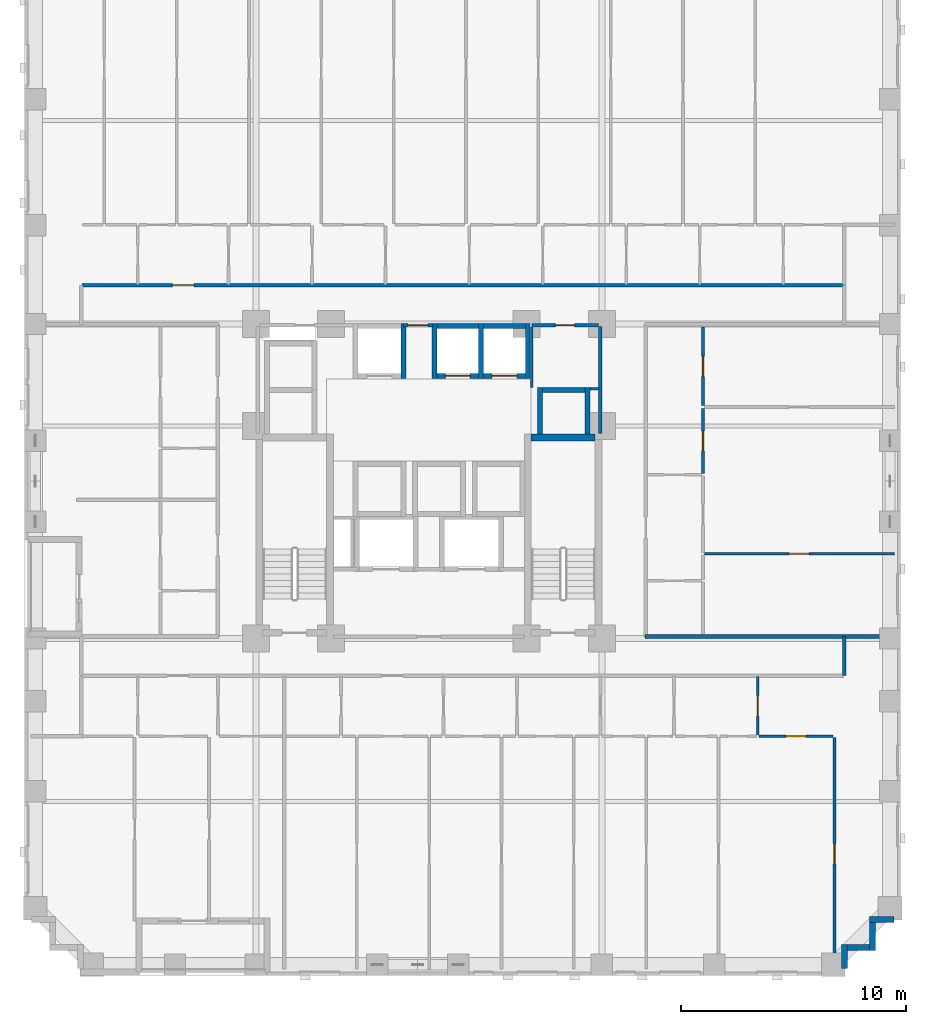
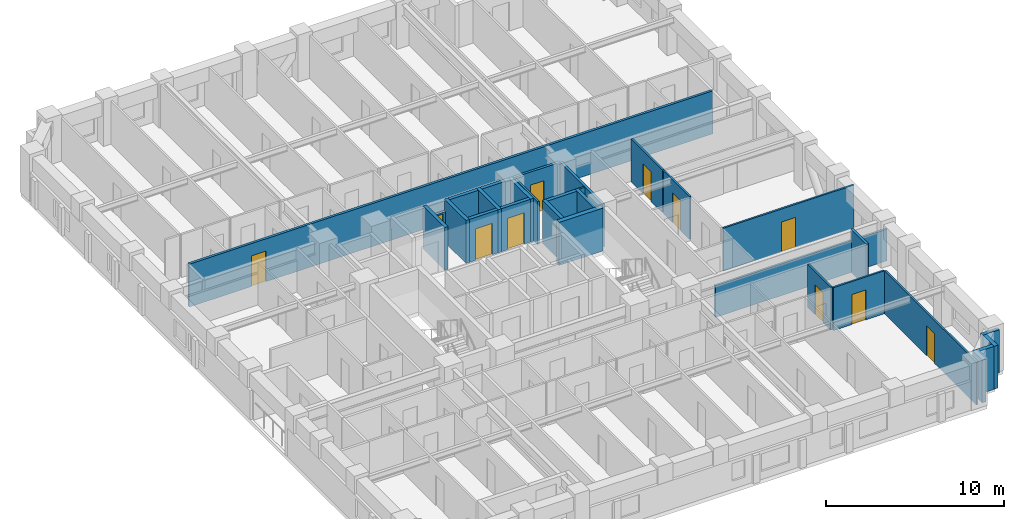
# One storey, part 6 of 14: 30 walls, 11 doors, 11 openings.
"""IFC4 building model written with IfcOpenShell, lengths in metres."""

from ifc_helpers import new_model, si_unit, derived_unit, direction, frame, frame_2d, origin, place, context, subcontext, project, spatial, rectangle, extrude, material, layer, layer_set, type_object, element, fill, save


model = new_model("IFC4")

# Units and contexts
model_context = context("Model", 3, precision=1e-05, world=origin(), true_north=direction((0.0, 1.0)))
body_context = subcontext(model_context, "Body", "Model", "MODEL_VIEW")
ifc_project = project(units=[si_unit("LENGTHUNIT", "METRE"), si_unit("AREAUNIT", "SQUARE_METRE"), si_unit("VOLUMEUNIT", "CUBIC_METRE"), si_unit("PLANEANGLEUNIT", "RADIAN"), si_unit("MASSUNIT", "GRAM", prefix="KILO"), derived_unit("THERMALTRANSMITTANCEUNIT", [(si_unit("MASSUNIT", "GRAM", prefix="KILO"), 1), (si_unit("TIMEUNIT", "SECOND"), -3), (si_unit("THERMODYNAMICTEMPERATUREUNIT", "KELVIN"), -1)])], contexts=[model_context])

# Site, building, storey
site_placement = place(None, origin())
site = spatial("IfcSite", under=ifc_project, at=site_placement, CompositionType="ELEMENT")
building_placement = place(site_placement, origin())
building = spatial("IfcBuilding", under=site, at=building_placement, Name="Korrvale Station Residences", CompositionType="ELEMENT")
storey_placement = place(building_placement, frame((0.0, 0.0, 45.0)))
storey = spatial("IfcBuildingStorey", under=building, at=storey_placement, Name="L11", CompositionType="ELEMENT", Elevation=45.0)

# Walls
ifc_material_1 = material(Name="Concrete C70/85", Category="concrete")
ifc_layer_1 = layer(ifc_material_1, 0.300048828125, Name="Concrete C70/85")
ifc_layer_set_1 = layer_set([ifc_layer_1], Name="Concrete C70/85")
wall_type_1 = type_object("IfcWallType", Name="WAL-CORE-300-C70", PredefinedType="SHEAR", material=ifc_layer_set_1)
wall_1_placement = place(storey_placement, frame((30.050048828125, 23.949951171875, 0.0), z_axis=(0.0, 0.0, 1.0), x_axis=(1.0, 0.0, 0.0)))
element("IfcWall", 1, at=wall_1_placement, inside=storey, type_object=wall_type_1, Name="L11 ST-2 Core Shear Wall North", PredefinedType="SHEAR", context=body_context, shape_type="SweptSolid", body=[
    extrude(rectangle(XDim=2.849853515625, YDim=0.300048828125, at=frame_2d((1.4248046875, 0.0))), origin(), (0.0, 0.0, 1.0), 2.93994140625),
])
ifc_material_2 = material(Name="Precast concrete C45/55", Category="concrete")
ifc_layer_2 = layer(ifc_material_2, 0.260009765625, Name="Precast concrete C45/55")
ifc_layer_set_2 = layer_set([ifc_layer_2], Name="Precast concrete C45/55")
wall_type_2 = type_object("IfcWallType", Name="WAL-EXT-LOG260", PredefinedType="SOLIDWALL", material=ifc_layer_set_2)
wall_2_placement = place(storey_placement, frame((46.197998046875, 2.5, 0.0), z_axis=(0.0, 0.0, 1.0), x_axis=(-1.0, 0.0, 0.0)))
element("IfcWall", 2, at=wall_2_placement, inside=storey, type_object=wall_type_2, Name="L11 Serrated Corner Precast Step SE-1", PredefinedType="SOLIDWALL", context=body_context, shape_type="SweptSolid", body=[
    extrude(rectangle(XDim=1.077880859375, YDim=0.260009765625, at=frame_2d((0.5390625, 0.0))), origin(), (0.0, 0.0, 1.0), 2.93994140625),
])
wall_3_placement = place(storey_placement, frame((45.25, 2.367919921875, 0.0), z_axis=(0.0, 0.0, 1.0), x_axis=(0.0, -1.0, 0.0)))
element("IfcWall", 3, at=wall_3_placement, inside=storey, type_object=wall_type_2, Name="L11 Serrated Corner Precast Step SE-2", PredefinedType="SOLIDWALL", context=body_context, shape_type="SweptSolid", body=[
    extrude(rectangle(XDim=1.247802734375, YDim=0.260009765625, at=frame_2d((0.6240234375, 0.0))), origin(), (0.0, 0.0, 1.0), 2.93994140625),
])
wall_4_placement = place(storey_placement, frame((45.117919921875, 1.25, 0.0), z_axis=(0.0, 0.0, 1.0), x_axis=(-1.0, 0.0, 0.0)))
element("IfcWall", 4, at=wall_4_placement, inside=storey, type_object=wall_type_2, Name="L11 Serrated Corner Precast Step SE-3", PredefinedType="SOLIDWALL", context=body_context, shape_type="SweptSolid", body=[
    extrude(rectangle(XDim=0.98583984375, YDim=0.260009765625, at=frame_2d((0.492919921875, 0.0))), origin(), (0.0, 0.0, 1.0), 2.93994140625),
])
wall_5_placement = place(storey_placement, frame((44.0, 1.3798828125, 0.0), z_axis=(0.0, 0.0, 1.0), x_axis=(0.0, -1.0, 0.0)))
element("IfcWall", 5, at=wall_5_placement, inside=storey, type_object=wall_type_2, Name="L11 Serrated Corner Precast Step SE-4", PredefinedType="SOLIDWALL", context=body_context, shape_type="SweptSolid", body=[
    extrude(rectangle(XDim=1.077880859375, YDim=0.260009765625, at=frame_2d((0.5390625, 0.0))), origin(), (0.0, 0.0, 1.0), 2.93994140625),
])
ifc_material_3 = material(Name="Acoustic steel-stud gypsum board partition", Category="steel")
ifc_layer_3 = layer(ifc_material_3, 0.1201171875, Name="Acoustic steel-stud gypsum board partition")
ifc_layer_set_3 = layer_set([ifc_layer_3], Name="Acoustic steel-stud gypsum board partition")
wall_type_3 = type_object("IfcWallType", Name="WAL-PART-125", PredefinedType="PARTITIONING", material=ifc_layer_set_3)
wall_6_placement = place(storey_placement, frame((30.080078125, 26.179931640625, 0.0), z_axis=(0.0, 0.0, 1.0), x_axis=(0.0, 1.0, 0.0)))
element("IfcWall", 6, at=wall_6_placement, inside=storey, type_object=wall_type_3, Name="L11 Core Partition CW-CS-W", PredefinedType="PARTITIONING", context=body_context, shape_type="SweptSolid", body=[
    extrude(rectangle(XDim=2.68017578125, YDim=0.1201171875, at=frame_2d((1.340087890625, 0.0))), origin(), (0.0, 0.0, 1.0), 2.93994140625),
])
wall_7_placement = place(storey_placement, frame((32.679931640625, 26.1201171875, 0.0), z_axis=(0.0, 0.0, 1.0), x_axis=(1.0, 0.0, 0.0)))
element("IfcWall", 7, at=wall_7_placement, inside=storey, type_object=wall_type_3, Name="L11 Core Partition CW-CS-S", PredefinedType="PARTITIONING", context=body_context, shape_type="SweptSolid", body=[
    extrude(rectangle(XDim=0.380126953125, YDim=0.1201171875, at=frame_2d((0.18994140625, 0.0))), origin(), (0.0, 0.0, 1.0), 2.93994140625),
])

# Wall, opening, door
wall_8_placement = place(storey_placement, frame((40.1298828125, 10.7099609375, 0.0), z_axis=(0.0, 0.0, 1.0), x_axis=(0.0, 1.0, 0.0)))
wall_8 = element("IfcWall", 8, at=wall_8_placement, inside=storey, type_object=wall_type_3, Name="L11 Suite Partition U02-V56", PredefinedType="PARTITIONING", context=body_context, shape_type="SweptSolid", body=[
    extrude(rectangle(XDim=2.60009765625, YDim=0.1201171875, at=frame_2d((1.300048828125, 0.0))), origin(), (0.0, 0.0, 1.0), 2.93994140625),
])
opening_1_placement = place(wall_8_placement, frame((0.85009765625, 0.0, 0.0)))
opening_1 = element("IfcOpeningElement", 9, at=opening_1_placement, cuts=wall_8, Name="Opening DI-900", PredefinedType="OPENING", context=body_context, shape_type="SweptSolid", body=[
    extrude(rectangle(XDim=0.89990234375, YDim=2.050048828125, at=frame_2d((0.449951171875, 1.02490234375))), frame((0.0, 0.070068359375, 0.0), z_axis=(0.0, -1.0, 0.0), x_axis=(1.0, 0.0, 0.0)), (0.0, 0.0, 1.0), 0.14013671875),
])
ifc_material_4 = material(Name="Painted solid-core timber interior room door", Category="wood")
door_type_1 = type_object("IfcDoorType", Name="DR-INT-900", OperationType="NOTDEFINED", PredefinedType="DOOR", material=ifc_material_4)
door_1_placement = place(opening_1_placement, origin())
door_1 = element("IfcDoor", 10, at=door_1_placement, inside=storey, type_object=door_type_1, Name="L11 Studio Apartment L11-U02 Storage Closet 4 Door", OperationType="SINGLE_SWING_LEFT", OverallHeight=2.050048828125, OverallWidth=0.89990234375, PredefinedType="DOOR", context=body_context, shape_type="SweptSolid", body=[
    extrude(rectangle(XDim=0.89990234375, YDim=2.050048828125, at=frame_2d((0.449951171875, 1.02490234375))), frame((0.0, 0.02490234375, 0.0), z_axis=(0.0, -1.0, 0.0), x_axis=(1.0, 0.0, 0.0)), (0.0, 0.0, 1.0), 0.050048828125),
])
fill(opening_1, door_1)

wall_9_placement = place(storey_placement, frame((40.18994140625, 10.64990234375, 0.0), z_axis=(0.0, 0.0, 1.0), x_axis=(1.0, 0.0, 0.0)))
wall_9 = element("IfcWall", 11, at=wall_9_placement, inside=storey, type_object=wall_type_3, Name="L11 Suite Partition U02-H613", PredefinedType="PARTITIONING", context=body_context, shape_type="SweptSolid", body=[
    extrude(rectangle(XDim=3.300048828125, YDim=0.1201171875, at=frame_2d((1.64990234375, 0.0))), origin(), (0.0, 0.0, 1.0), 2.93994140625),
])
opening_2_placement = place(wall_9_placement, frame((1.199951171875, 0.0, 0.0)))
opening_2 = element("IfcOpeningElement", 12, at=opening_2_placement, cuts=wall_9, Name="Opening DI-900", PredefinedType="OPENING", context=body_context, shape_type="SweptSolid", body=[
    extrude(rectangle(XDim=0.89990234375, YDim=2.050048828125, at=frame_2d((0.449951171875, 1.02490234375))), frame((0.0, 0.070068359375, 0.0), z_axis=(0.0, -1.0, 0.0), x_axis=(1.0, 0.0, 0.0)), (0.0, 0.0, 1.0), 0.14013671875),
])
door_2_placement = place(opening_2_placement, origin())
door_2 = element("IfcDoor", 13, at=door_2_placement, inside=storey, type_object=door_type_1, Name="L11 Studio Apartment L11-U02 Storage Closet 5 Door", OperationType="SINGLE_SWING_RIGHT", OverallHeight=2.050048828125, OverallWidth=0.89990234375, PredefinedType="DOOR", context=body_context, shape_type="SweptSolid", body=[
    extrude(rectangle(XDim=0.89990234375, YDim=2.050048828125, at=frame_2d((0.449951171875, 1.02490234375))), frame((0.0, 0.02490234375, 0.0), z_axis=(0.0, -1.0, 0.0), x_axis=(1.0, 0.0, 0.0)), (0.0, 0.0, 1.0), 0.050048828125),
])
fill(opening_2, door_2)

wall_10_placement = place(storey_placement, frame((43.550048828125, 0.280029296875, 0.0), z_axis=(0.0, 0.0, 1.0), x_axis=(0.0, 1.0, 0.0)))
wall_10 = element("IfcWall", 14, at=wall_10_placement, inside=storey, type_object=wall_type_3, Name="L11 Suite Partition U02-V1314", PredefinedType="PARTITIONING", context=body_context, shape_type="SweptSolid", body=[
    extrude(rectangle(XDim=10.31005859375, YDim=0.1201171875, at=frame_2d((5.155029296875, 0.0))), origin(), (0.0, 0.0, 1.0), 2.93994140625),
])
opening_3_placement = place(wall_10_placement, frame((4.68994140625, 0.0, 0.0)))
opening_3 = element("IfcOpeningElement", 15, at=opening_3_placement, cuts=wall_10, Name="Opening DI-900", PredefinedType="OPENING", context=body_context, shape_type="SweptSolid", body=[
    extrude(rectangle(XDim=0.89990234375, YDim=2.050048828125, at=frame_2d((0.449951171875, 1.02490234375))), frame((0.0, 0.070068359375, 0.0), z_axis=(0.0, -1.0, 0.0), x_axis=(1.0, 0.0, 0.0)), (0.0, 0.0, 1.0), 0.14013671875),
])
door_3_placement = place(opening_3_placement, origin())
door_3 = element("IfcDoor", 16, at=door_3_placement, inside=storey, type_object=door_type_1, Name="L11 Studio Apartment L11-U02 Studio Living Room Door", OperationType="SINGLE_SWING_LEFT", OverallHeight=2.050048828125, OverallWidth=0.89990234375, PredefinedType="DOOR", context=body_context, shape_type="SweptSolid", body=[
    extrude(rectangle(XDim=0.89990234375, YDim=2.050048828125, at=frame_2d((0.449951171875, 1.02490234375))), frame((0.0, 0.02490234375, 0.0), z_axis=(0.0, -1.0, 0.0), x_axis=(1.0, 0.0, 0.0)), (0.0, 0.0, 1.0), 0.050048828125),
])
fill(opening_3, door_3)

wall_11_placement = place(storey_placement, frame((37.699951171875, 22.35009765625, 0.0), z_axis=(0.0, 0.0, 1.0), x_axis=(0.0, 1.0, 0.0)))
wall_11 = element("IfcWall", 17, at=wall_11_placement, inside=storey, type_object=wall_type_3, Name="L11 Suite Partition U06-V04", PredefinedType="PARTITIONING", context=body_context, shape_type="SweptSolid", body=[
    extrude(rectangle(XDim=2.890869140625, YDim=0.1201171875, at=frame_2d((1.4453125, 0.0))), origin(), (0.0, 0.0, 1.0), 2.93994140625),
])
opening_4_placement = place(wall_11_placement, frame((0.9951171875, 0.0, 0.0)))
opening_4 = element("IfcOpeningElement", 18, at=opening_4_placement, cuts=wall_11, Name="Opening DI-900", PredefinedType="OPENING", context=body_context, shape_type="SweptSolid", body=[
    extrude(rectangle(XDim=0.89990234375, YDim=2.050048828125, at=frame_2d((0.449951171875, 1.02490234375))), frame((0.0, 0.070068359375, 0.0), z_axis=(0.0, -1.0, 0.0), x_axis=(1.0, 0.0, 0.0)), (0.0, 0.0, 1.0), 0.14013671875),
])
door_4_placement = place(opening_4_placement, origin())
door_4 = element("IfcDoor", 19, at=door_4_placement, inside=storey, type_object=door_type_1, Name="L11 Apartment 2BR L11-U06 Wardrobe Storage Room Door", OperationType="SINGLE_SWING_RIGHT", OverallHeight=2.050048828125, OverallWidth=0.89990234375, PredefinedType="DOOR", context=body_context, shape_type="SweptSolid", body=[
    extrude(rectangle(XDim=0.89990234375, YDim=2.050048828125, at=frame_2d((0.449951171875, 1.02490234375))), frame((0.0, 0.02490234375, 0.0), z_axis=(0.0, -1.0, 0.0), x_axis=(1.0, 0.0, 0.0)), (0.0, 0.0, 1.0), 0.050048828125),
])
fill(opening_4, door_4)

wall_12_placement = place(storey_placement, frame((37.699951171875, 25.361083984375, 0.0), z_axis=(0.0, 0.0, 1.0), x_axis=(0.0, 1.0, 0.0)))
wall_12 = element("IfcWall", 20, at=wall_12_placement, inside=storey, type_object=wall_type_3, Name="L11 Suite Partition U06-V05", PredefinedType="PARTITIONING", context=body_context, shape_type="SweptSolid", body=[
    extrude(rectangle(XDim=3.4990234375, YDim=0.1201171875, at=frame_2d((1.74951171875, 0.0))), origin(), (0.0, 0.0, 1.0), 2.93994140625),
])
opening_5_placement = place(wall_12_placement, frame((1.299072265625, 0.0, 0.0)))
opening_5 = element("IfcOpeningElement", 21, at=opening_5_placement, cuts=wall_12, Name="Opening DI-900", PredefinedType="OPENING", context=body_context, shape_type="SweptSolid", body=[
    extrude(rectangle(XDim=0.89990234375, YDim=2.050048828125, at=frame_2d((0.449951171875, 1.02490234375))), frame((0.0, 0.070068359375, 0.0), z_axis=(0.0, -1.0, 0.0), x_axis=(1.0, 0.0, 0.0)), (0.0, 0.0, 1.0), 0.14013671875),
])
door_5_placement = place(opening_5_placement, origin())
door_5 = element("IfcDoor", 22, at=door_5_placement, inside=storey, type_object=door_type_1, Name="L11 Apartment 2BR L11-U06 Wardrobe Storage Room Door", OperationType="SINGLE_SWING_LEFT", OverallHeight=2.050048828125, OverallWidth=0.89990234375, PredefinedType="DOOR", context=body_context, shape_type="SweptSolid", body=[
    extrude(rectangle(XDim=0.89990234375, YDim=2.050048828125, at=frame_2d((0.449951171875, 1.02490234375))), frame((0.0, 0.02490234375, 0.0), z_axis=(0.0, -1.0, 0.0), x_axis=(1.0, 0.0, 0.0)), (0.0, 0.0, 1.0), 0.050048828125),
])
fill(opening_5, door_5)

wall_13_placement = place(storey_placement, frame((37.760009765625, 18.76904296875, 0.0), z_axis=(0.0, 0.0, 1.0), x_axis=(1.0, 0.0, 0.0)))
wall_13 = element("IfcWall", 23, at=wall_13_placement, inside=storey, type_object=wall_type_3, Name="L11 Suite Partition U06-H34", PredefinedType="PARTITIONING", context=body_context, shape_type="SweptSolid", body=[
    extrude(rectangle(XDim=8.4599609375, YDim=0.1201171875, at=frame_2d((4.22998046875, 0.0))), origin(), (0.0, 0.0, 1.0), 2.93994140625),
])
opening_6_placement = place(wall_13_placement, frame((3.764892578125, 0.0, 0.0)))
opening_6 = element("IfcOpeningElement", 24, at=opening_6_placement, cuts=wall_13, Name="Opening DI-900", PredefinedType="OPENING", context=body_context, shape_type="SweptSolid", body=[
    extrude(rectangle(XDim=0.89990234375, YDim=2.050048828125, at=frame_2d((0.449951171875, 1.02490234375))), frame((0.0, 0.070068359375, 0.0), z_axis=(0.0, -1.0, 0.0), x_axis=(1.0, 0.0, 0.0)), (0.0, 0.0, 1.0), 0.14013671875),
])
door_6_placement = place(opening_6_placement, origin())
door_6 = element("IfcDoor", 25, at=door_6_placement, inside=storey, type_object=door_type_1, Name="L11 Apartment 2BR L11-U06 Bedroom 1 Door", OperationType="SINGLE_SWING_RIGHT", OverallHeight=2.050048828125, OverallWidth=0.89990234375, PredefinedType="DOOR", context=body_context, shape_type="SweptSolid", body=[
    extrude(rectangle(XDim=0.89990234375, YDim=2.050048828125, at=frame_2d((0.449951171875, 1.02490234375))), frame((0.0, 0.02490234375, 0.0), z_axis=(0.0, -1.0, 0.0), x_axis=(1.0, 0.0, 0.0)), (0.0, 0.0, 1.0), 0.050048828125),
])
fill(opening_6, door_6)

# Wall
ifc_material_5 = material(Name="Fire-rated twin-stud gypsum and mineral wool shaftwall assembly", Category="gypsum")
ifc_layer_4 = layer(ifc_material_5, 0.159912109375, Name="Fire-rated twin-stud gypsum and mineral wool shaftwall assembly")
ifc_layer_set_4 = layer_set([ifc_layer_4], Name="Fire-rated twin-stud gypsum and mineral wool shaftwall assembly")
wall_type_4 = type_object("IfcWallType", Name="WAL-PART-200", PredefinedType="PARTITIONING", material=ifc_layer_set_4)
wall_14_placement = place(storey_placement, frame((33.1201171875, 24.1201171875, 0.0), z_axis=(0.0, 0.0, 1.0), x_axis=(0.0, 1.0, 0.0)))
element("IfcWall", 26, at=wall_14_placement, inside=storey, type_object=wall_type_4, Name="L11 Core Partition CW-E-N", PredefinedType="PARTITIONING", context=body_context, shape_type="SweptSolid", body=[
    extrude(rectangle(XDim=4.759765625, YDim=0.159912109375, at=frame_2d((2.3798828125, 0.0))), origin(), (0.0, 0.0, 1.0), 2.93994140625),
])

# Wall, opening, door
wall_15_placement = place(storey_placement, frame((24.360107421875, 28.949951171875, 0.0), z_axis=(0.0, 0.0, 1.0), x_axis=(1.0, 0.0, 0.0)))
wall_15 = element("IfcWall", 27, at=wall_15_placement, inside=storey, type_object=wall_type_4, Name="L11 Core Partition CW-LLOB-N", PredefinedType="PARTITIONING", context=body_context, shape_type="SweptSolid", body=[
    extrude(rectangle(XDim=1.31982421875, YDim=0.159912109375, at=frame_2d((0.659912109375, 0.0))), origin(), (0.0, 0.0, 1.0), 2.155029296875),
])
opening_7_placement = place(wall_15_placement, frame((0.2099609375, 0.0, 0.0)))
opening_7 = element("IfcOpeningElement", 28, at=opening_7_placement, cuts=wall_15, Name="Opening DI-900", PredefinedType="OPENING", context=body_context, shape_type="SweptSolid", body=[
    extrude(rectangle(XDim=0.89990234375, YDim=2.050048828125, at=frame_2d((0.449951171875, 1.02490234375))), frame((0.0, 0.08984375, 0.0), z_axis=(0.0, -1.0, 0.0), x_axis=(1.0, 0.0, 0.0)), (0.0, 0.0, 1.0), 0.179931640625),
])
door_7_placement = place(opening_7_placement, origin())
door_7 = element("IfcDoor", 29, at=door_7_placement, inside=storey, type_object=door_type_1, Name="L11 Central Hallway North Passage Door", OperationType="SINGLE_SWING_RIGHT", OverallHeight=2.050048828125, OverallWidth=0.89990234375, PredefinedType="DOOR", context=body_context, shape_type="SweptSolid", body=[
    extrude(rectangle(XDim=0.89990234375, YDim=2.050048828125, at=frame_2d((0.449951171875, 1.02490234375))), frame((0.0, 0.02490234375, 0.0), z_axis=(0.0, -1.0, 0.0), x_axis=(1.0, 0.0, 0.0)), (0.0, 0.0, 1.0), 0.050048828125),
])
fill(opening_7, door_7)

wall_16_placement = place(storey_placement, frame((30.080078125, 28.949951171875, 0.0), z_axis=(0.0, 0.0, 1.0), x_axis=(1.0, 0.0, 0.0)))
wall_16 = element("IfcWall", 30, at=wall_16_placement, inside=storey, type_object=wall_type_4, Name="L11 Core Partition CW-CS-N", PredefinedType="PARTITIONING", context=body_context, shape_type="SweptSolid", body=[
    extrude(rectangle(XDim=2.9599609375, YDim=0.159912109375, at=frame_2d((1.47998046875, 0.0))), origin(), (0.0, 0.0, 1.0), 2.93994140625),
])
opening_8_placement = place(wall_16_placement, frame((1.044921875, 0.0, 0.0)))
opening_8 = element("IfcOpeningElement", 31, at=opening_8_placement, cuts=wall_16, Name="Opening DB-860", PredefinedType="OPENING", context=body_context, shape_type="SweptSolid", body=[
    extrude(rectangle(XDim=0.860107421875, YDim=2.050048828125, at=frame_2d((0.43017578125, 1.02490234375))), frame((0.0, 0.08984375, 0.0), z_axis=(0.0, -1.0, 0.0), x_axis=(1.0, 0.0, 0.0)), (0.0, 0.0, 1.0), 0.179931640625),
])
ifc_material_6 = material(Name="Moisture-resistant solid-core bathroom door", Category="timber")
door_type_2 = type_object("IfcDoorType", Name="DR-BATH-860", OperationType="NOTDEFINED", PredefinedType="DOOR", material=ifc_material_6)
door_8_placement = place(opening_8_placement, origin())
door_8 = element("IfcDoor", 32, at=door_8_placement, inside=storey, type_object=door_type_2, Name="L11 Parcel Room Door", OperationType="SINGLE_SWING_RIGHT", OverallHeight=2.050048828125, OverallWidth=0.860107421875, PredefinedType="DOOR", context=body_context, shape_type="SweptSolid", body=[
    extrude(rectangle(XDim=0.860107421875, YDim=2.050048828125, at=frame_2d((0.43017578125, 1.02490234375))), frame((0.0, 0.02490234375, 0.0), z_axis=(0.0, -1.0, 0.0), x_axis=(1.0, 0.0, 0.0)), (0.0, 0.0, 1.0), 0.050048828125),
])
fill(opening_8, door_8)

# Walls
wall_17_placement = place(storey_placement, frame((43.97998046875, 13.35009765625, 0.0), z_axis=(0.0, 0.0, 1.0), x_axis=(0.0, 1.0, 0.0)))
element("IfcWall", 33, at=wall_17_placement, inside=storey, type_object=wall_type_4, Name="L11 Corridor South East Cap", PredefinedType="PARTITIONING", context=body_context, shape_type="SweptSolid", body=[
    extrude(rectangle(XDim=1.739990234375, YDim=0.159912109375, at=frame_2d((0.8701171875, 0.0))), origin(), (0.0, 0.0, 1.0), 2.93994140625),
])
wall_18_placement = place(storey_placement, frame((35.110107421875, 15.090087890625, 0.0), z_axis=(0.0, 0.0, 1.0), x_axis=(1.0, 0.0, 0.0)))
element("IfcWall", 34, at=wall_18_placement, inside=storey, type_object=wall_type_4, Name="L11 East Wing South Corridor Wall", PredefinedType="PARTITIONING", context=body_context, shape_type="SweptSolid", body=[
    extrude(rectangle(XDim=11.10986328125, YDim=0.159912109375, at=frame_2d((5.554931640625, 0.0))), origin(), (0.0, 0.0, 1.0), 2.155029296875),
])

# Wall, opening, door
wall_19_placement = place(storey_placement, frame((10.050048828125, 30.719970703125, 0.0), z_axis=(0.0, 0.0, 1.0), x_axis=(1.0, 0.0, 0.0)))
wall_19 = element("IfcWall", 35, at=wall_19_placement, inside=storey, type_object=wall_type_4, Name="L11 Rated Corridor Wall N", PredefinedType="PARTITIONING", context=body_context, shape_type="SweptSolid", body=[
    extrude(rectangle(XDim=33.89990234375, YDim=0.159912109375, at=frame_2d((16.949951171875, 0.0))), origin(), (0.0, 0.0, 1.0), 2.93994140625),
])
opening_9_placement = place(wall_19_placement, frame((4.034912109375, 0.0, 0.0)))
opening_9 = element("IfcOpeningElement", 36, at=opening_9_placement, cuts=wall_19, Name="Opening UD-950", PredefinedType="OPENING", context=body_context, shape_type="SweptSolid", body=[
    extrude(rectangle(XDim=0.949951171875, YDim=2.10009765625, at=frame_2d((0.47509765625, 1.050048828125))), frame((0.0, 0.08984375, 0.0), z_axis=(0.0, -1.0, 0.0), x_axis=(1.0, 0.0, 0.0)), (0.0, 0.0, 1.0), 0.179931640625),
])
ifc_material_7 = material(Name="Solid-core acoustic oak apartment entrance door", Category="timber")
door_type_3 = type_object("IfcDoorType", Name="DR-UNIT-950", OperationType="NOTDEFINED", PredefinedType="DOOR", material=ifc_material_7)
door_9_placement = place(opening_9_placement, origin())
door_9 = element("IfcDoor", 37, at=door_9_placement, inside=storey, type_object=door_type_3, Name="L11 Apartment L11-U03 Entrance Door", OperationType="SINGLE_SWING_RIGHT", OverallHeight=2.10009765625, OverallWidth=0.949951171875, PredefinedType="DOOR", context=body_context, shape_type="SweptSolid", body=[
    extrude(rectangle(XDim=0.949951171875, YDim=2.10009765625, at=frame_2d((0.47509765625, 1.050048828125))), frame((0.0, 0.02490234375, 0.0), z_axis=(0.0, -1.0, 0.0), x_axis=(1.0, 0.0, 0.0)), (0.0, 0.0, 1.0), 0.050048828125),
])
fill(opening_9, door_9)

# Wall
ifc_layer_5 = layer(ifc_material_1, 0.219970703125, Name="Concrete C70/85")
ifc_layer_set_5 = layer_set([ifc_layer_5], Name="Concrete C70/85")
wall_type_5 = type_object("IfcWallType", Name="WAL-SHAFT-220-C70", PredefinedType="SHEAR", material=ifc_layer_set_5)
wall_20_placement = place(storey_placement, frame((24.360107421875, 26.580078125, 0.0), z_axis=(0.0, 0.0, 1.0), x_axis=(0.0, 1.0, 0.0)))
element("IfcWall", 38, at=wall_20_placement, inside=storey, type_object=wall_type_5, Name="L11 Elevator PL-1 Hoistway Wall East", PredefinedType="SHEAR", context=body_context, shape_type="SweptSolid", body=[
    extrude(rectangle(XDim=2.43994140625, YDim=0.219970703125, at=frame_2d((1.219970703125, 0.0))), origin(), (0.0, 0.0, 1.0), 2.93994140625),
])

# Wall, opening, door
wall_21_placement = place(storey_placement, frame((25.85009765625, 26.68994140625, 0.0), z_axis=(0.0, 0.0, 1.0), x_axis=(1.0, 0.0, 0.0)))
wall_21 = element("IfcWall", 39, at=wall_21_placement, inside=storey, type_object=wall_type_5, Name="L11 Elevator PL-2 Hoistway Wall South", PredefinedType="SHEAR", context=body_context, shape_type="SweptSolid", body=[
    extrude(rectangle(XDim=1.85986328125, YDim=0.219970703125, at=frame_2d((0.929931640625, 0.0))), origin(), (0.0, 0.0, 1.0), 2.93994140625),
])
opening_10_placement = place(wall_21_placement, frame((0.3798828125, 0.0, 0.0)))
opening_10 = element("IfcOpeningElement", 40, at=opening_10_placement, cuts=wall_21, Name="Opening LD-1100", PredefinedType="OPENING", context=body_context, shape_type="SweptSolid", body=[
    extrude(rectangle(XDim=1.10009765625, YDim=2.14990234375, at=frame_2d((0.550048828125, 1.074951171875))), frame((0.0, 0.1201171875, 0.0), z_axis=(0.0, -1.0, 0.0), x_axis=(1.0, 0.0, 0.0)), (0.0, 0.0, 1.0), 0.239990234375),
])
ifc_material_8 = material(Name="Brushed stainless-steel elevator landing sliding door", Category="steel")
door_type_4 = type_object("IfcDoorType", Name="DR-LIFT-1100", OperationType="SLIDING_TO_LEFT", PredefinedType="DOOR", material=ifc_material_8)
door_10_placement = place(opening_10_placement, origin())
door_10 = element("IfcDoor", 41, at=door_10_placement, inside=storey, type_object=door_type_4, Name="L11 Elevator PL-2 Sliding Landing Door", OperationType="SLIDING_TO_LEFT", OverallHeight=2.14990234375, OverallWidth=1.10009765625, PredefinedType="DOOR", context=body_context, shape_type="SweptSolid", body=[
    extrude(rectangle(XDim=1.10009765625, YDim=2.14990234375, at=frame_2d((0.550048828125, 1.074951171875))), frame((0.0, 0.02490234375, 0.0), z_axis=(0.0, -1.0, 0.0), x_axis=(1.0, 0.0, 0.0)), (0.0, 0.0, 1.0), 0.050048828125),
])
fill(opening_10, door_10)

# Walls
wall_22_placement = place(storey_placement, frame((25.85009765625, 28.909912109375, 0.0), z_axis=(0.0, 0.0, 1.0), x_axis=(1.0, 0.0, 0.0)))
element("IfcWall", 42, at=wall_22_placement, inside=storey, type_object=wall_type_5, Name="L11 Elevator PL-2 Hoistway Wall North", PredefinedType="SHEAR", context=body_context, shape_type="SweptSolid", body=[
    extrude(rectangle(XDim=1.85986328125, YDim=0.219970703125, at=frame_2d((0.929931640625, 0.0))), origin(), (0.0, 0.0, 1.0), 2.93994140625),
])
for number, where, z_axis, x_axis, name in (
    (43, (25.739990234375, 26.580078125, 0.0), (0.0, 0.0, 1.0), (0.0, 1.0, 0.0), "L11 Elevator PL-2 Hoistway Wall West"),
    (44, (27.820068359375, 26.580078125, 0.0), (0.0, 0.0, 1.0), (0.0, 1.0, 0.0), "L11 Elevator PL-2 Hoistway Wall East"),
):
    element("IfcWall", number, at=place(storey_placement, frame(where, z_axis=z_axis, x_axis=x_axis)), inside=storey, type_object=wall_type_5, Name=name, PredefinedType="SHEAR", context=body_context, shape_type="SweptSolid", body=[
        extrude(rectangle(XDim=2.43994140625, YDim=0.219970703125, at=frame_2d((1.219970703125, 0.0))), origin(), (0.0, 0.0, 1.0), 2.93994140625),
    ])

# Wall, opening, door
wall_23_placement = place(storey_placement, frame((27.929931640625, 26.68994140625, 0.0), z_axis=(0.0, 0.0, 1.0), x_axis=(1.0, 0.0, 0.0)))
wall_23 = element("IfcWall", 45, at=wall_23_placement, inside=storey, type_object=wall_type_5, Name="L11 Elevator PL-3 Hoistway Wall South", PredefinedType="SHEAR", context=body_context, shape_type="SweptSolid", body=[
    extrude(rectangle(XDim=1.860107421875, YDim=0.219970703125, at=frame_2d((0.93017578125, 0.0))), origin(), (0.0, 0.0, 1.0), 2.93994140625),
])
opening_11_placement = place(wall_23_placement, frame((0.3798828125, 0.0, 0.0)))
opening_11 = element("IfcOpeningElement", 46, at=opening_11_placement, cuts=wall_23, Name="Opening LD-1100", PredefinedType="OPENING", context=body_context, shape_type="SweptSolid", body=[
    extrude(rectangle(XDim=1.10009765625, YDim=2.14990234375, at=frame_2d((0.550048828125, 1.074951171875))), frame((0.0, 0.1201171875, 0.0), z_axis=(0.0, -1.0, 0.0), x_axis=(1.0, 0.0, 0.0)), (0.0, 0.0, 1.0), 0.239990234375),
])
door_11_placement = place(opening_11_placement, origin())
door_11 = element("IfcDoor", 47, at=door_11_placement, inside=storey, type_object=door_type_4, Name="L11 Elevator PL-3 Sliding Landing Door", OperationType="SLIDING_TO_LEFT", OverallHeight=2.14990234375, OverallWidth=1.10009765625, PredefinedType="DOOR", context=body_context, shape_type="SweptSolid", body=[
    extrude(rectangle(XDim=1.10009765625, YDim=2.14990234375, at=frame_2d((0.550048828125, 1.074951171875))), frame((0.0, 0.02490234375, 0.0), z_axis=(0.0, -1.0, 0.0), x_axis=(1.0, 0.0, 0.0)), (0.0, 0.0, 1.0), 0.050048828125),
])
fill(opening_11, door_11)

# Walls
wall_24_placement = place(storey_placement, frame((27.929931640625, 28.909912109375, 0.0), z_axis=(0.0, 0.0, 1.0), x_axis=(1.0, 0.0, 0.0)))
element("IfcWall", 48, at=wall_24_placement, inside=storey, type_object=wall_type_5, Name="L11 Elevator PL-3 Hoistway Wall North", PredefinedType="SHEAR", context=body_context, shape_type="SweptSolid", body=[
    extrude(rectangle(XDim=1.860107421875, YDim=0.219970703125, at=frame_2d((0.93017578125, 0.0))), origin(), (0.0, 0.0, 1.0), 2.93994140625),
])
wall_25_placement = place(storey_placement, frame((29.89990234375, 26.580078125, 0.0), z_axis=(0.0, 0.0, 1.0), x_axis=(0.0, 1.0, 0.0)))
element("IfcWall", 49, at=wall_25_placement, inside=storey, type_object=wall_type_5, Name="L11 Elevator PL-3 Hoistway Wall East", PredefinedType="SHEAR", context=body_context, shape_type="SweptSolid", body=[
    extrude(rectangle(XDim=2.43994140625, YDim=0.219970703125, at=frame_2d((1.219970703125, 0.0))), origin(), (0.0, 0.0, 1.0), 2.93994140625),
])
wall_26_placement = place(storey_placement, frame((30.550048828125, 26.06005859375, 0.0), z_axis=(0.0, 0.0, 1.0), x_axis=(1.0, 0.0, 0.0)))
element("IfcWall", 50, at=wall_26_placement, inside=storey, type_object=wall_type_5, Name="L11 Elevator PH-3 Hoistway Wall North", PredefinedType="SHEAR", context=body_context, shape_type="SweptSolid", body=[
    extrude(rectangle(XDim=1.89990234375, YDim=0.219970703125, at=frame_2d((0.949951171875, 0.0))), origin(), (0.0, 0.0, 1.0), 2.93994140625),
])
for number, where, z_axis, x_axis, name in (
    (51, (30.43994140625, 24.10009765625, 0.0), (0.0, 0.0, 1.0), (0.0, 1.0, 0.0), "L11 Elevator PH-3 Hoistway Wall West"),
    (52, (32.56005859375, 24.10009765625, 0.0), (0.0, 0.0, 1.0), (0.0, 1.0, 0.0), "L11 Elevator PH-3 Hoistway Wall East"),
):
    element("IfcWall", number, at=place(storey_placement, frame(where, z_axis=z_axis, x_axis=x_axis)), inside=storey, type_object=wall_type_5, Name=name, PredefinedType="SHEAR", context=body_context, shape_type="SweptSolid", body=[
        extrude(rectangle(XDim=2.06982421875, YDim=0.219970703125, at=frame_2d((1.034912109375, 0.0))), origin(), (0.0, 0.0, 1.0), 2.93994140625),
    ])

save(model, "model.ifc")
